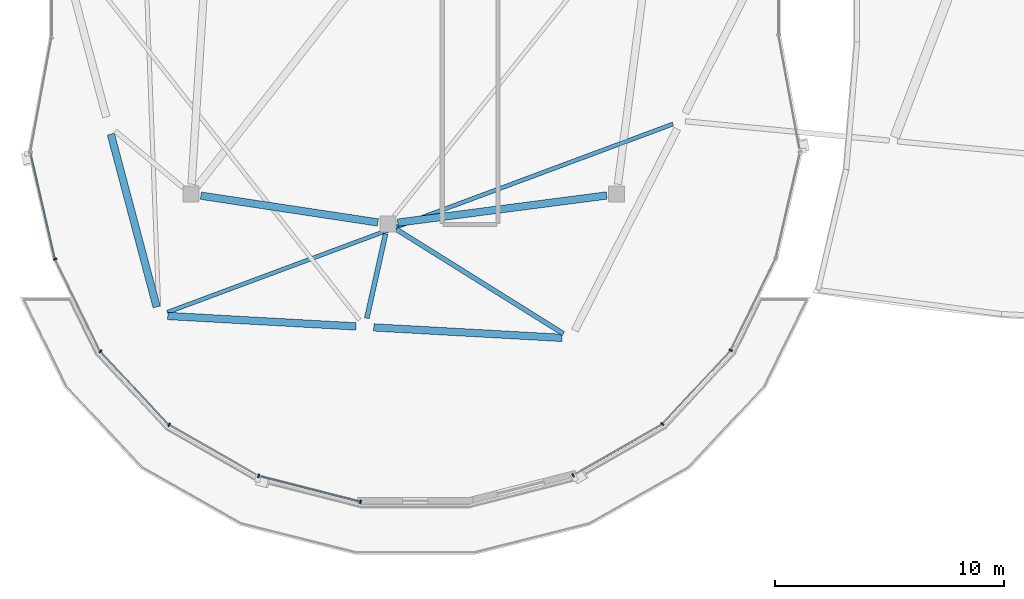
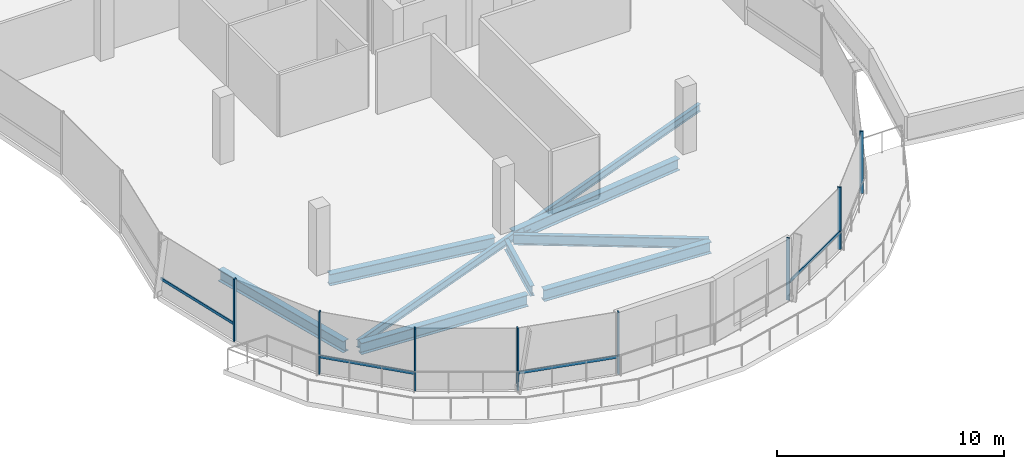
# One storey, part 2 of 31: 12 members, 8 beams, 2 elements without a shape of their own.
"""IFC4 building model written with IfcOpenShell, lengths in metres."""

from ifc_helpers import new_model, si_unit, direction, frame, origin, origin_2d, place, context, subcontext, project, spatial, rectangle, i_section, extrude, material, material_profile, profile_set, type_object, element, aggregate, save


model = new_model("IFC4")

# Units and contexts
model_context = context("Model", 3, precision=1e-05, world=origin(), true_north=direction((0.0, 1.0)))
body_context = subcontext(model_context, "Body", "Model", "MODEL_VIEW")
ifc_project = project(units=[si_unit("LENGTHUNIT", "METRE"), si_unit("AREAUNIT", "SQUARE_METRE"), si_unit("VOLUMEUNIT", "CUBIC_METRE"), si_unit("PLANEANGLEUNIT", "RADIAN"), si_unit("MASSUNIT", "GRAM", prefix="KILO"), si_unit("THERMODYNAMICTEMPERATUREUNIT", "KELVIN"), si_unit("POWERUNIT", "WATT")], contexts=[model_context])

# Site, building, storey
site_placement = place(None, origin())
site = spatial("IfcSite", under=ifc_project, at=site_placement, CompositionType="ELEMENT")
building_placement = place(site_placement, origin())
building = spatial("IfcBuilding", under=site, at=building_placement, Name="Cundina Bronze Exchange", CompositionType="ELEMENT")
storey_placement = place(building_placement, frame((0.0, 0.0, 275.60009765625)))
storey = spatial("IfcBuildingStorey", under=building, at=storey_placement, Name="L73", CompositionType="ELEMENT", Elevation=275.60009765625)

# Beams
ifc_material_1 = material(Name="Steel ASTM A992 Grade 50", Category="steel")
ifc_material_profile_1 = material_profile(ifc_material_1, i_section(OverallWidth=0.2119140625, OverallDepth=0.5439453125, WebThickness=0.01318359375, FlangeThickness=0.021240234375, FilletRadius=0.013916015625, at=origin_2d()), Name="W21X83", Category="steel")
ifc_profile_set_1 = profile_set([ifc_material_profile_1], Name="Steel ASTM A992 Grade 50")
beam_type_1 = type_object("IfcBeamType", Name="BM-FLR-W21A", PredefinedType="BEAM", material=ifc_profile_set_1)
beam_1_placement = place(storey_placement, frame((-33.294921875, -11.2275390625, -0.531982421875), z_axis=(-0.216930457819, -0.976187060184, 0.0), x_axis=(0.976187060184, -0.216930457819, 0.0)))
element("IfcBeam", 1, at=beam_1_placement, inside=storey, type_object=beam_type_1, Name="L73 Leg W Radial Floor Beam 11", PredefinedType="BEAM", context=body_context, shape_type="SweptSolid", body=[
    extrude(i_section(OverallWidth=0.2119140625, OverallDepth=0.5439453125, WebThickness=0.01318359375, FlangeThickness=0.021240234375, FilletRadius=0.013916015625, at=origin_2d()), origin(), (0.0, 0.0, 1.0), 3.78369140625),
])
beam_2_placement = place(storey_placement, frame((-32.82861328125, -11.031982421875, -0.531982421875), z_axis=(0.847983963552, -0.530021884038, 0.0), x_axis=(0.530021884038, 0.847983963552, 0.0)))
element("IfcBeam", 2, at=beam_2_placement, inside=storey, type_object=beam_type_1, Name="L73 Leg W Radial Floor Beam 12", PredefinedType="BEAM", context=body_context, shape_type="SweptSolid", body=[
    extrude(i_section(OverallWidth=0.2119140625, OverallDepth=0.5439453125, WebThickness=0.01318359375, FlangeThickness=0.021240234375, FilletRadius=0.013916015625, at=origin_2d()), origin(), (0.0, 0.0, 1.0), 8.608154296875),
])
ifc_material_profile_2 = material_profile(ifc_material_1, i_section(OverallWidth=0.178955078125, OverallDepth=0.409912109375, WebThickness=0.0087890625, FlangeThickness=0.014404296875, FilletRadius=0.010986328125, at=origin_2d()), Name="W16X45", Category="steel")
ifc_profile_set_2 = profile_set([ifc_material_profile_2], Name="Steel ASTM A992 Grade 50")
beam_type_2 = type_object("IfcBeamType", Name="BM-JST-W16", PredefinedType="JOIST", material=ifc_profile_set_2)
beam_3_placement = place(storey_placement, frame((-42.83642578125, -14.66455078125, -0.465087890625), z_axis=(0.937127932085, 0.348986015344, 0.0), x_axis=(-0.348986015344, 0.937127932085, 0.0)))
element("IfcBeam", 3, at=beam_3_placement, inside=storey, type_object=beam_type_2, Name="L73 Leg W Lobe Floor Joist 10-13", PredefinedType="JOIST", context=body_context, shape_type="SweptSolid", body=[
    extrude(i_section(OverallWidth=0.178955078125, OverallDepth=0.409912109375, WebThickness=0.0087890625, FlangeThickness=0.014404296875, FilletRadius=0.010986328125, at=origin_2d()), origin(), (0.0, 0.0, 1.0), 23.58056640625),
])
ifc_material_profile_3 = material_profile(ifc_material_1, i_section(OverallWidth=0.324951171875, OverallDepth=0.615966796875, WebThickness=0.013916015625, FlangeThickness=0.021484375, FilletRadius=0.01611328125, at=origin_2d()), Name="W24X117", Category="steel")
ifc_profile_set_3 = profile_set([ifc_material_profile_3], Name="Steel ASTM A992 Grade 50")
beam_type_3 = type_object("IfcBeamType", Name="BM-RING-W24", PredefinedType="USERDEFINED", material=ifc_profile_set_3)
beam_4_placement = place(storey_placement, frame((-41.366943359375, -9.5654296875, -0.568115234375), z_axis=(0.988764903598, -0.149478979839, 0.0), x_axis=(0.149478979839, 0.988764903598, 0.0)))
element("IfcBeam", 4, at=beam_4_placement, inside=storey, type_object=beam_type_3, Name="L73 W Inner Structural Ring Girder 05", ObjectType="GIRDER", PredefinedType="USERDEFINED", context=body_context, shape_type="SweptSolid", body=[
    extrude(i_section(OverallWidth=0.324951171875, OverallDepth=0.615966796875, WebThickness=0.013916015625, FlangeThickness=0.021484375, FilletRadius=0.01611328125, at=origin_2d()), origin(), (0.0, 0.0, 1.0), 7.82177734375),
])
beam_5_placement = place(storey_placement, frame((-32.765625, -10.743408203125, -0.568115234375), z_axis=(0.991656498582, 0.128908451316, 0.0), x_axis=(-0.128908451316, 0.991656498582, 0.0)))
element("IfcBeam", 5, at=beam_5_placement, inside=storey, type_object=beam_type_3, Name="L73 W Inner Structural Ring Girder 06", ObjectType="GIRDER", PredefinedType="USERDEFINED", context=body_context, shape_type="SweptSolid", body=[
    extrude(i_section(OverallWidth=0.324951171875, OverallDepth=0.615966796875, WebThickness=0.013916015625, FlangeThickness=0.021484375, FilletRadius=0.01611328125, at=origin_2d()), origin(), (0.0, 0.0, 1.0), 9.208251953125),
])
beam_6_placement = place(storey_placement, frame((-45.300537109375, -6.875, -0.568115234375), z_axis=(0.256212999207, -0.966620348967, 0.0), x_axis=(0.966620348967, 0.256212999207, 0.0)))
element("IfcBeam", 6, at=beam_6_placement, inside=storey, type_object=beam_type_3, Name="L73 W Perimeter Ring Girder 09", ObjectType="GIRDER", PredefinedType="USERDEFINED", context=body_context, shape_type="SweptSolid", body=[
    extrude(i_section(OverallWidth=0.324951171875, OverallDepth=0.615966796875, WebThickness=0.013916015625, FlangeThickness=0.021484375, FilletRadius=0.01611328125, at=origin_2d()), origin(), (0.0, 0.0, 1.0), 7.810791015625),
])
for number, where, z_axis, x_axis, name in (
    (7, (-42.8125, -14.821533203125, -0.568115234375), (0.998459806018, -0.055479868117, 0.0), (0.055479868117, 0.998459806018, 0.0), "L73 W Perimeter Ring Girder 10"),
    (8, (-33.8125, -15.321533203125, -0.568115234375), (0.998459806018, -0.055479868117, 0.0), (0.055479868117, 0.998459806018, 0.0), "L73 W Perimeter Ring Girder 11"),
):
    element("IfcBeam", number, at=place(storey_placement, frame(where, z_axis=z_axis, x_axis=x_axis)), inside=storey, type_object=beam_type_3, Name=name, ObjectType="GIRDER", PredefinedType="USERDEFINED", context=body_context, shape_type="SweptSolid", body=[
        extrude(i_section(OverallWidth=0.324951171875, OverallDepth=0.615966796875, WebThickness=0.013916015625, FlangeThickness=0.021484375, FilletRadius=0.01611328125, at=origin_2d()), origin(), (0.0, 0.0, 1.0), 8.23779296875),
    ])

# Curtain wall, members
ifc_material_2 = material(Name="Anodised Bronze Aluminium 6063-T6", Category="aluminium")
curtain_wall_type = type_object("IfcCurtainWallType", Name="CWS-CRN-TMD", PredefinedType="NOTDEFINED", material=ifc_material_2)
curtain_wall_1_placement = place(storey_placement, origin())
curtain_wall_1 = element("IfcCurtainWall", 9, at=curtain_wall_1_placement, inside=storey, type_object=curtain_wall_type, Name="L73 CW-07 Curtain Wall Run CWR-L73-W3", PredefinedType="NOTDEFINED")
ifc_material_profile_4 = material_profile(ifc_material_2, rectangle(XDim=0.06494140625, YDim=0.159912109375, at=origin_2d()), Name="AL65X160", Category="aluminium")
ifc_profile_set_4 = profile_set([ifc_material_profile_4], Name="Anodised Bronze Aluminium 6063-T6")
member_type_1 = type_object("IfcMemberType", Name="CWM-MUL-160", PredefinedType="MULLION", material=ifc_profile_set_4)
member_1_placement = place(storey_placement, frame((-47.736083984375, -12.33984375, 0.0), z_axis=(0.0, 0.0, 1.0), x_axis=(0.439468903432, -0.898257804261, 0.0)))
member_1 = element("IfcMember", 10, at=member_1_placement, type_object=member_type_1, Name="CW-07 Mullion 2", PredefinedType="MULLION", context=body_context, shape_type="SweptSolid", body=[
    extrude(rectangle(XDim=0.06494140625, YDim=0.159912109375, at=origin_2d()), origin(), (0.0, 0.0, 1.0), 3.33984375),
])
member_2_placement = place(storey_placement, frame((-45.7548828125, -16.3701171875, 0.0), z_axis=(0.0, 0.0, 1.0), x_axis=(0.681487612702, -0.731829648029, 0.0)))
member_2 = element("IfcMember", 11, at=member_2_placement, type_object=member_type_1, Name="CW-07 Mullion 3", PredefinedType="MULLION", context=body_context, shape_type="SweptSolid", body=[
    extrude(rectangle(XDim=0.06494140625, YDim=0.159912109375, at=origin_2d()), origin(), (0.0, 0.0, 1.0), 3.33984375),
])
member_3_placement = place(storey_placement, frame((-42.75390625, -19.579833984375, 0.0), z_axis=(0.0, 0.0, 1.0), x_axis=(0.867418288651, -0.497579654441, 0.0)))
member_3 = element("IfcMember", 12, at=member_3_placement, type_object=member_type_1, Name="CW-07 Mullion 4", PredefinedType="MULLION", context=body_context, shape_type="SweptSolid", body=[
    extrude(rectangle(XDim=0.06494140625, YDim=0.159912109375, at=origin_2d()), origin(), (0.0, 0.0, 1.0), 3.33984375),
])
member_4_placement = place(storey_placement, frame((-38.84423828125, -21.812255859375, 0.0), z_axis=(0.0, 0.0, 1.0), x_axis=(0.969058826108, -0.246829883811, 0.0)))
member_4 = element("IfcMember", 13, at=member_4_placement, type_object=member_type_1, Name="CW-07 Mullion 5", PredefinedType="MULLION", context=body_context, shape_type="SweptSolid", body=[
    extrude(rectangle(XDim=0.06494140625, YDim=0.159912109375, at=origin_2d()), origin(), (0.0, 0.0, 1.0), 3.33984375),
])
member_5_placement = place(storey_placement, frame((-34.393310546875, -22.94580078125, 0.0), z_axis=(0.0, 0.0, 1.0), x_axis=(0.969058826108, -0.246829883811, 0.0)))
member_5 = element("IfcMember", 14, at=member_5_placement, type_object=member_type_1, Name="CW-07 End Mullion", PredefinedType="MULLION", context=body_context, shape_type="SweptSolid", body=[
    extrude(rectangle(XDim=0.06494140625, YDim=0.159912109375, at=origin_2d()), origin(), (0.0, 0.0, 1.0), 3.33984375),
])

curtain_wall_2_placement = place(storey_placement, origin())
curtain_wall_2 = element("IfcCurtainWall", 15, at=curtain_wall_2_placement, inside=storey, type_object=curtain_wall_type, Name="L73 CW-07 Curtain Wall Run CWR-L73-W4", PredefinedType="NOTDEFINED")
member_6_placement = place(storey_placement, frame((-25.097412109375, -21.78857421875, 0.0), z_axis=(0.0, 0.0, 1.0), x_axis=(0.867418288651, 0.497579654441, 0.0)))
member_6 = element("IfcMember", 16, at=member_6_placement, type_object=member_type_1, Name="CW-07 Mullion 1", PredefinedType="MULLION", context=body_context, shape_type="SweptSolid", body=[
    extrude(rectangle(XDim=0.06494140625, YDim=0.159912109375, at=origin_2d()), origin(), (0.0, 0.0, 1.0), 3.33984375),
])
member_7_placement = place(storey_placement, frame((-21.19921875, -19.54248046875, 0.0), z_axis=(0.0, 0.0, 1.0), x_axis=(0.681487612702, 0.731829648029, 0.0)))
member_7 = element("IfcMember", 17, at=member_7_placement, type_object=member_type_1, Name="CW-07 Mullion 2", PredefinedType="MULLION", context=body_context, shape_type="SweptSolid", body=[
    extrude(rectangle(XDim=0.06494140625, YDim=0.159912109375, at=origin_2d()), origin(), (0.0, 0.0, 1.0), 3.33984375),
])
member_8_placement = place(storey_placement, frame((-18.210693359375, -16.3203125, 0.0), z_axis=(0.0, 0.0, 1.0), x_axis=(0.439468903432, 0.898257804261, 0.0)))
member_8 = element("IfcMember", 18, at=member_8_placement, type_object=member_type_1, Name="CW-07 Mullion 3", PredefinedType="MULLION", context=body_context, shape_type="SweptSolid", body=[
    extrude(rectangle(XDim=0.06494140625, YDim=0.159912109375, at=origin_2d()), origin(), (0.0, 0.0, 1.0), 3.33984375),
])

# Member
ifc_material_profile_5 = material_profile(ifc_material_2, rectangle(XDim=0.06494140625, YDim=0.14990234375, at=origin_2d()), Name="AL65X150", Category="aluminium")
ifc_profile_set_5 = profile_set([ifc_material_profile_5], Name="Anodised Bronze Aluminium 6063-T6")
member_type_2 = type_object("IfcMemberType", Name="CWM-TRN-150", PredefinedType="USERDEFINED", material=ifc_profile_set_5)
member_9_placement = place(storey_placement, frame((-48.806396484375, -7.71875, 0.919921875), z_axis=(0.224034511342, -0.974581211458, 0.0), x_axis=(0.974581211458, 0.224034511342, 0.0)))
member_9 = element("IfcMember", 19, at=member_9_placement, type_object=member_type_2, Name="CW-07 Spandrel Transom 1", ObjectType="TRANSOM", PredefinedType="USERDEFINED", context=body_context, shape_type="SweptSolid", body=[
    extrude(rectangle(XDim=0.06494140625, YDim=0.14990234375, at=origin_2d()), origin(), (0.0, 0.0, 1.0), 4.712158203125),
])

member_10_placement = place(storey_placement, frame((-45.73046875, -16.396240234375, 0.919921875), z_axis=(0.681452859131, -0.731862009385, 0.0), x_axis=(0.731862009385, 0.681452859131, 0.0)))
member_10 = element("IfcMember", 20, at=member_10_placement, type_object=member_type_2, Name="CW-07 Spandrel Transom 3", ObjectType="TRANSOM", PredefinedType="USERDEFINED", context=body_context, shape_type="SweptSolid", body=[
    extrude(rectangle(XDim=0.06494140625, YDim=0.14990234375, at=origin_2d()), origin(), (0.0, 0.0, 1.0), 4.334716796875),
])

member_11_placement = place(storey_placement, frame((-38.8095703125, -21.821044921875, 0.919921875), z_axis=(0.969062664799, -0.246814812548, 0.0), x_axis=(0.246814812548, 0.969062664799, 0.0)))
member_11 = element("IfcMember", 21, at=member_11_placement, type_object=member_type_2, Name="CW-07 Spandrel Transom 5", ObjectType="TRANSOM", PredefinedType="USERDEFINED", context=body_context, shape_type="SweptSolid", body=[
    extrude(rectangle(XDim=0.06494140625, YDim=0.14990234375, at=origin_2d()), origin(), (0.0, 0.0, 1.0), 4.521484375),
])

aggregate(curtain_wall_1, [member_9, member_1, member_2, member_10, member_3, member_4, member_5, member_11])

member_12_placement = place(storey_placement, frame((-25.06640625, -21.770751953125, 0.919921875), z_axis=(0.867467147117, 0.497494470997, 0.0), x_axis=(-0.497494470997, 0.867467147117, 0.0)))
member_12 = element("IfcMember", 22, at=member_12_placement, type_object=member_type_2, Name="CW-07 Spandrel Transom 1", ObjectType="TRANSOM", PredefinedType="USERDEFINED", context=body_context, shape_type="SweptSolid", body=[
    extrude(rectangle(XDim=0.06494140625, YDim=0.14990234375, at=origin_2d()), origin(), (0.0, 0.0, 1.0), 4.439697265625),
])

aggregate(curtain_wall_2, [member_6, member_12, member_7, member_8])

save(model, "model.ifc")
